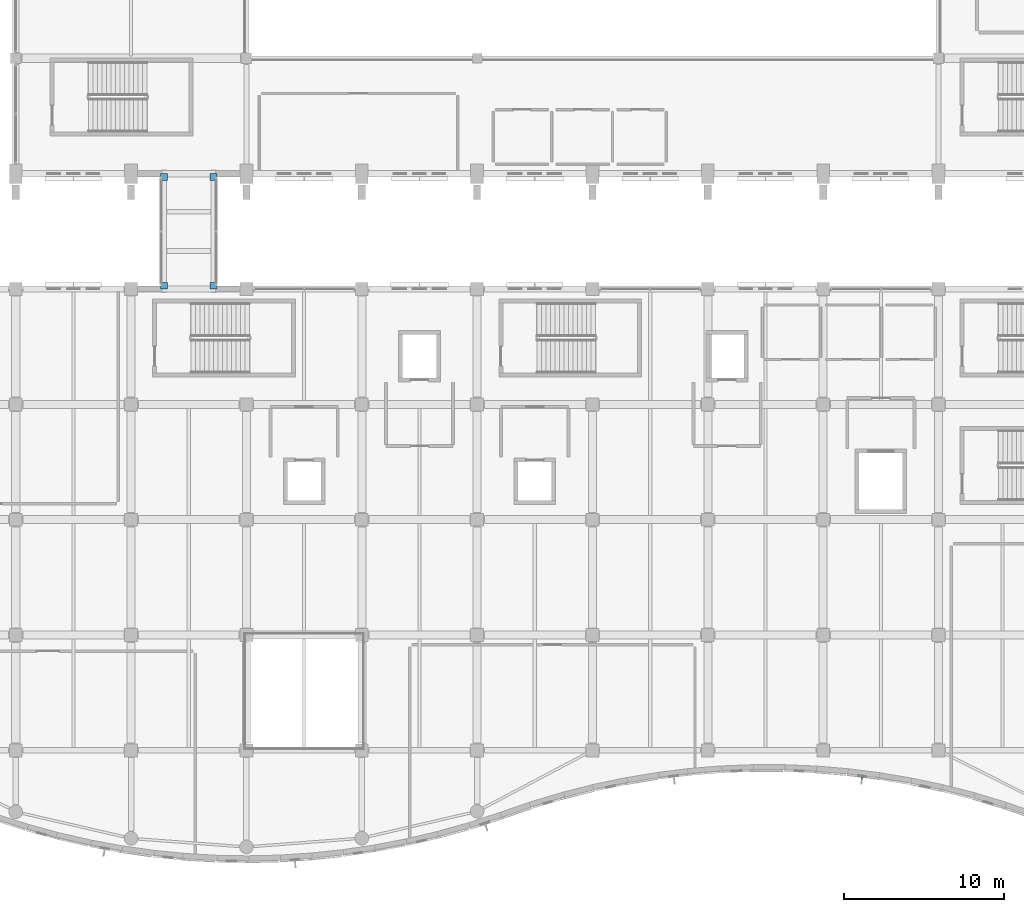
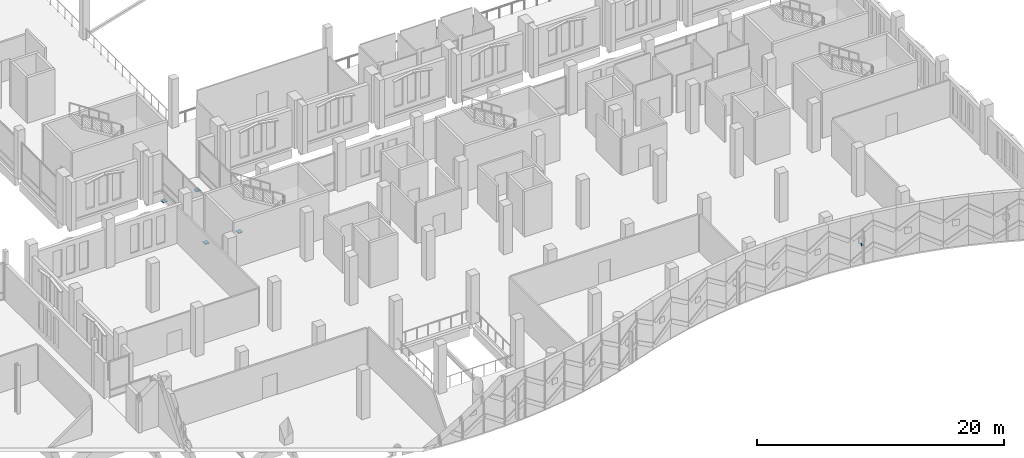
# One storey, part 180 of 220: 5 discrete accessories.
"""IFC4 building model written with IfcOpenShell, lengths in metres."""

from ifc_helpers import new_model, si_unit, direction, frame, origin, origin_2d, place, context, subcontext, project, spatial, rectangle, extrude, material, type_object, element, save


model = new_model("IFC4")

# Units and contexts
model_context = context("Model", 3, precision=1e-05, world=origin(), true_north=direction((0.0, 1.0)))
body_context = subcontext(model_context, "Body", "Model", "MODEL_VIEW")
ifc_project = project(units=[si_unit("LENGTHUNIT", "METRE"), si_unit("AREAUNIT", "SQUARE_METRE"), si_unit("VOLUMEUNIT", "CUBIC_METRE"), si_unit("PLANEANGLEUNIT", "RADIAN"), si_unit("MASSUNIT", "GRAM", prefix="KILO")], contexts=[model_context])

# Site, building, storey
site_placement = place(None, origin())
site = spatial("IfcSite", under=ifc_project, at=site_placement, CompositionType="ELEMENT")
building_placement = place(site_placement, origin())
building = spatial("IfcBuilding", under=site, at=building_placement, Name="Cendralis Lancet Convention Centre", CompositionType="ELEMENT")
storey_placement = place(building_placement, frame((0.0, 0.0, 5.39990234375)))
storey = spatial("IfcBuildingStorey", under=building, at=storey_placement, Name="L01", CompositionType="ELEMENT", Elevation=5.39990234375)

# Discrete accessories
ifc_material_1 = material(Name="Steel S355", Category="steel")
discrete_accessory_type_1 = type_object("IfcDiscreteAccessoryType", Name="ARC-BRK-FIN", PredefinedType="BRACKET", material=ifc_material_1)
discrete_accessory_placement = place(storey_placement, frame((192.029296875, 5.514404296875, 1.93017578125), z_axis=(0.0, 0.0, 1.0), x_axis=(0.992347031249, -0.123480239601, 0.0)))
element("IfcDiscreteAccessory", 1, at=discrete_accessory_placement, inside=storey, type_object=discrete_accessory_type_1, Name="Facade Fin Bracket BK-FIN #033", PredefinedType="BRACKET", context=body_context, shape_type="SweptSolid", body=[
    extrude(rectangle(XDim=0.139892578125, YDim=0.219970703125, at=origin_2d()), origin(), (0.0, 0.0, 1.0), 0.139892578125),
])
ifc_material_2 = material(Name="Elastomeric-PTFE sliding bridge bearing")
discrete_accessory_type_2 = type_object("IfcDiscreteAccessoryType", Name="STR-BRG-PTFE", PredefinedType="SHOE", material=ifc_material_2)
for number, where, z_axis, x_axis, name in (
    (2, (148.449951171875, 36.2099609375, -1.199951171875), (0.0, 0.0, 1.0), (1.0, 0.0, 0.0), "Unguided PTFE Sliding Bridge Bearing SB-PTFE #061"),
    (3, (148.449951171875, 42.989990234375, -1.199951171875), (0.0, 0.0, 1.0), (1.0, 0.0, 0.0), "Unguided PTFE Sliding Bridge Bearing SB-PTFE #062"),
    (4, (151.550048828125, 36.2099609375, -1.199951171875), (0.0, 0.0, 1.0), (1.0, 0.0, 0.0), "Unguided PTFE Sliding Bridge Bearing SB-PTFE #063"),
    (5, (151.550048828125, 42.989990234375, -1.199951171875), (0.0, 0.0, 1.0), (1.0, 0.0, 0.0), "Unguided PTFE Sliding Bridge Bearing SB-PTFE #064"),
):
    element("IfcDiscreteAccessory", number, at=place(storey_placement, frame(where, z_axis=z_axis, x_axis=x_axis)), inside=storey, type_object=discrete_accessory_type_2, Name=name, PredefinedType="SHOE", context=body_context, shape_type="SweptSolid", body=[
        extrude(rectangle(XDim=0.419921875, YDim=0.419921875, at=origin_2d()), origin(), (0.0, 0.0, 1.0), 0.080078125),
    ])

save(model, "model.ifc")
